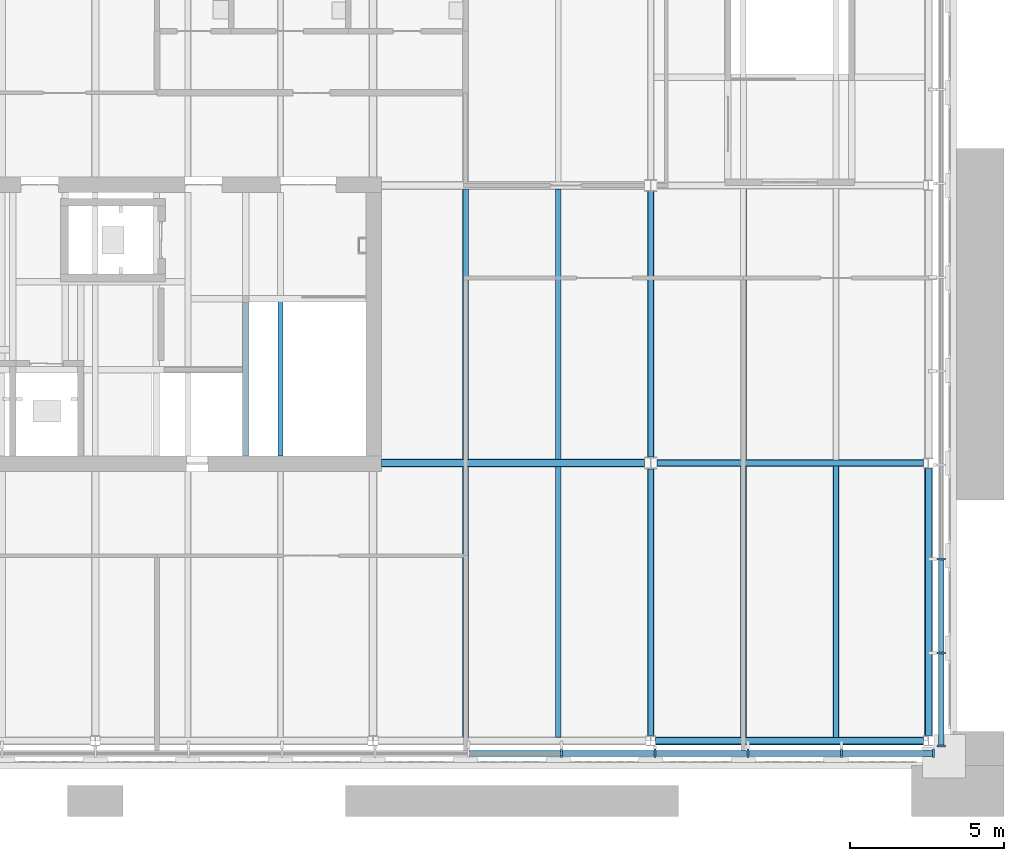
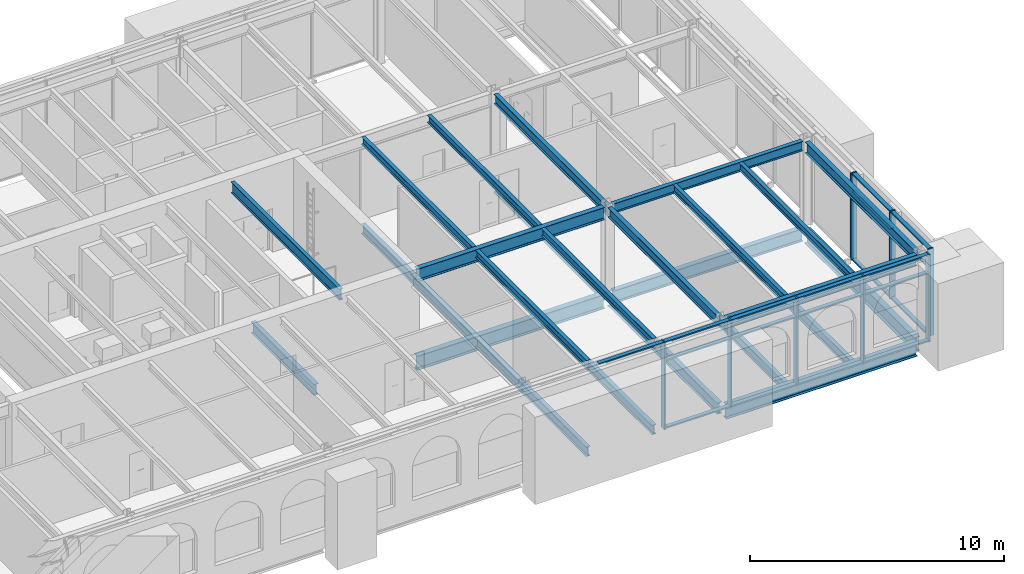
# One storey, part 7 of 24: 27 beams, 27 members, 2 elements without a shape of their own.
"""IFC4 building model written with IfcOpenShell, lengths in metres."""

from ifc_helpers import new_model, si_unit, direction, frame, origin, origin_2d, place, context, subcontext, project, spatial, rectangle, i_section, extrude, material, material_profile, profile_set, type_object, element, aggregate, save


model = new_model("IFC4")

# Units and contexts
model_context = context("Model", 3, precision=1e-05, world=origin(), true_north=direction((0.0, 1.0)))
body_context = subcontext(model_context, "Body", "Model", "MODEL_VIEW")
ifc_project = project(units=[si_unit("LENGTHUNIT", "METRE"), si_unit("AREAUNIT", "SQUARE_METRE"), si_unit("VOLUMEUNIT", "CUBIC_METRE"), si_unit("PLANEANGLEUNIT", "RADIAN"), si_unit("MASSUNIT", "GRAM", prefix="KILO")], contexts=[model_context])

# Site, building, storey
site_placement = place(None, origin())
site = spatial("IfcSite", under=ifc_project, at=site_placement, CompositionType="ELEMENT")
building_placement = place(site_placement, origin())
building = spatial("IfcBuilding", under=site, at=building_placement, Name="Baradari Gate Terminus", CompositionType="ELEMENT")
storey_placement = place(building_placement, frame((0.0, 0.0, 32.699951171875)))
storey = spatial("IfcBuildingStorey", under=building, at=storey_placement, Name="L07", CompositionType="ELEMENT", Elevation=32.699951171875)

# Beam
ifc_material_1 = material(Name="Steel S355", Category="steel")
ifc_material_profile_1 = material_profile(ifc_material_1, i_section(OverallWidth=0.209228515625, OverallDepth=0.533203125, WebThickness=0.010009765625, FlangeThickness=0.015625, FilletRadius=0.0126953125, at=origin_2d()), Name="UB 533x210x92")
ifc_profile_set_1 = profile_set([ifc_material_profile_1], Name="Steel S355")
beam_type_1 = type_object("IfcBeamType", Name="Core floor trimmer beam B22 UB 533x210x92", PredefinedType="BEAM", material=ifc_profile_set_1)
beam_1_placement = place(storey_placement, frame((40.875, 126.22509765625, -0.396484375), z_axis=(0.0, 1.0, 0.0), x_axis=(-1.0, 0.0, 0.0)))
element("IfcBeam", 1, at=beam_1_placement, inside=storey, type_object=beam_type_1, Name="Core floor trimmer beam B22 40.875:126.225-131.22 L07", PredefinedType="BEAM", context=body_context, shape_type="SweptSolid", body=[
    extrude(i_section(OverallWidth=0.209228515625, OverallDepth=0.533203125, WebThickness=0.010009765625, FlangeThickness=0.015625, FilletRadius=0.0126953125, at=origin_2d()), origin(), (0.0, 0.0, 1.0), 4.9951171875),
])

# Curtain wall, members
ifc_material_2 = material(Name="Aluminium 6063-T6", Category="aluminium")
curtain_wall_type = type_object("IfcCurtainWallType", Name="Curtain wall CW-12 block arcade floors, L06-L07", PredefinedType="NOTDEFINED", material=ifc_material_2)
curtain_wall_1_placement = place(storey_placement, origin())
curtain_wall_1 = element("IfcCurtainWall", 2, at=curtain_wall_1_placement, inside=storey, type_object=curtain_wall_type, Name="Curtain wall CW-12 Operations block S face L07", PredefinedType="NOTDEFINED")
ifc_material_3 = material(Name="Aluminium 6063-T6", Category="aluminium")
ifc_material_profile_2 = material_profile(ifc_material_3, rectangle(XDim=0.27490234375, YDim=0.06494140625, at=origin_2d()), Name="CM-12 65X275")
ifc_profile_set_2 = profile_set([ifc_material_profile_2], Name="Aluminium 6063-T6")
member_type_1 = type_object("IfcMemberType", Name="Curtain wall mullion CM-12 65x275", PredefinedType="MULLION", material=ifc_profile_set_2)
member_1_placement = place(storey_placement, frame((51.111083984375, 116.592529296875, 0.0), z_axis=(0.0, 0.0, 1.0), x_axis=(0.0, 1.0, 0.0)))
member_1 = element("IfcMember", 3, at=member_1_placement, type_object=member_type_1, Name="CW-12 mullion 15", PredefinedType="MULLION", context=body_context, shape_type="SweptSolid", body=[
    extrude(rectangle(XDim=0.27490234375, YDim=0.06494140625, at=origin_2d()), origin(), (0.0, 0.0, 1.0), 4.199951171875),
])
member_2_placement = place(storey_placement, frame((54.13330078125, 116.592529296875, 0.0), z_axis=(0.0, 0.0, 1.0), x_axis=(0.0, 1.0, 0.0)))
member_2 = element("IfcMember", 4, at=member_2_placement, type_object=member_type_1, Name="CW-12 mullion 16", PredefinedType="MULLION", context=body_context, shape_type="SweptSolid", body=[
    extrude(rectangle(XDim=0.27490234375, YDim=0.06494140625, at=origin_2d()), origin(), (0.0, 0.0, 1.0), 4.199951171875),
])
member_3_placement = place(storey_placement, frame((57.155517578125, 116.592529296875, 0.0), z_axis=(0.0, 0.0, 1.0), x_axis=(0.0, 1.0, 0.0)))
member_3 = element("IfcMember", 5, at=member_3_placement, type_object=member_type_1, Name="CW-12 mullion 17", PredefinedType="MULLION", context=body_context, shape_type="SweptSolid", body=[
    extrude(rectangle(XDim=0.27490234375, YDim=0.06494140625, at=origin_2d()), origin(), (0.0, 0.0, 1.0), 4.199951171875),
])
member_4_placement = place(storey_placement, frame((60.177734375, 116.592529296875, 0.0), z_axis=(0.0, 0.0, 1.0), x_axis=(0.0, 1.0, 0.0)))
member_4 = element("IfcMember", 6, at=member_4_placement, type_object=member_type_1, Name="CW-12 mullion 18", PredefinedType="MULLION", context=body_context, shape_type="SweptSolid", body=[
    extrude(rectangle(XDim=0.27490234375, YDim=0.06494140625, at=origin_2d()), origin(), (0.0, 0.0, 1.0), 4.199951171875),
])
member_5_placement = place(storey_placement, frame((63.16748046875, 116.592529296875, 0.0), z_axis=(0.0, 0.0, 1.0), x_axis=(0.0, 1.0, 0.0)))
member_5 = element("IfcMember", 7, at=member_5_placement, type_object=member_type_1, Name="CW-12 mullion 19", PredefinedType="MULLION", context=body_context, shape_type="SweptSolid", body=[
    extrude(rectangle(XDim=0.27490234375, YDim=0.06494140625, at=origin_2d()), origin(), (0.0, 0.0, 1.0), 4.199951171875),
])

curtain_wall_2_placement = place(storey_placement, origin())
curtain_wall_2 = element("IfcCurtainWall", 8, at=curtain_wall_2_placement, inside=storey, type_object=curtain_wall_type, Name="Curtain wall CW-12 Operations block E face L07", PredefinedType="NOTDEFINED")
member_6_placement = place(storey_placement, frame((63.407470703125, 116.83251953125, 0.0), z_axis=(0.0, 0.0, 1.0), x_axis=(-1.0, 0.0, 0.0)))
member_6 = element("IfcMember", 9, at=member_6_placement, type_object=member_type_1, Name="CW-12 mullion 1", PredefinedType="MULLION", context=body_context, shape_type="SweptSolid", body=[
    extrude(rectangle(XDim=0.27490234375, YDim=0.06494140625, at=origin_2d()), origin(), (0.0, 0.0, 1.0), 4.199951171875),
])
member_7_placement = place(storey_placement, frame((63.407470703125, 119.844482421875, 0.0), z_axis=(0.0, 0.0, 1.0), x_axis=(-1.0, 0.0, 0.0)))
member_7 = element("IfcMember", 10, at=member_7_placement, type_object=member_type_1, Name="CW-12 mullion 2", PredefinedType="MULLION", context=body_context, shape_type="SweptSolid", body=[
    extrude(rectangle(XDim=0.27490234375, YDim=0.06494140625, at=origin_2d()), origin(), (0.0, 0.0, 1.0), 4.199951171875),
])
member_8_placement = place(storey_placement, frame((63.407470703125, 122.888916015625, 0.0), z_axis=(0.0, 0.0, 1.0), x_axis=(-1.0, 0.0, 0.0)))
member_8 = element("IfcMember", 11, at=member_8_placement, type_object=member_type_1, Name="CW-12 mullion 3", PredefinedType="MULLION", context=body_context, shape_type="SweptSolid", body=[
    extrude(rectangle(XDim=0.27490234375, YDim=0.06494140625, at=origin_2d()), origin(), (0.0, 0.0, 1.0), 4.199951171875),
])

# Member
ifc_material_4 = material(Name="Aluminium 6063-T6", Category="aluminium")
ifc_material_profile_3 = material_profile(ifc_material_4, rectangle(XDim=0.18505859375, YDim=0.06494140625, at=origin_2d()), Name="CT-12 65X185")
ifc_profile_set_3 = profile_set([ifc_material_profile_3], Name="Aluminium 6063-T6")
member_type_2 = type_object("IfcMemberType", Name="Curtain wall transom CT-12 65x185", PredefinedType="USERDEFINED", material=ifc_profile_set_3)
member_9_placement = place(storey_placement, frame((48.121337890625, 116.592529296875, 4.16748046875), z_axis=(1.0, 0.0, 0.0), x_axis=(0.0, 1.0, 0.0)))
member_9 = element("IfcMember", 12, at=member_9_placement, type_object=member_type_2, Name="CW-12 transom 14.3", ObjectType="TRANSOM", PredefinedType="USERDEFINED", context=body_context, shape_type="SweptSolid", body=[
    extrude(rectangle(XDim=0.18505859375, YDim=0.06494140625, at=origin_2d()), origin(), (0.0, 0.0, 1.0), 2.957275390625),
])

member_10_placement = place(storey_placement, frame((51.1435546875, 116.592529296875, 0.032470703125), z_axis=(1.0, 0.0, 0.0), x_axis=(0.0, 1.0, 0.0)))
member_10 = element("IfcMember", 13, at=member_10_placement, type_object=member_type_2, Name="CW-12 transom 15.1", ObjectType="TRANSOM", PredefinedType="USERDEFINED", context=body_context, shape_type="SweptSolid", body=[
    extrude(rectangle(XDim=0.18505859375, YDim=0.06494140625, at=origin_2d()), origin(), (0.0, 0.0, 1.0), 2.957275390625),
])

member_11_placement = place(storey_placement, frame((51.1435546875, 116.592529296875, 3.300048828125), z_axis=(1.0, 0.0, 0.0), x_axis=(0.0, 1.0, 0.0)))
member_11 = element("IfcMember", 14, at=member_11_placement, type_object=member_type_2, Name="CW-12 transom 15.2", ObjectType="TRANSOM", PredefinedType="USERDEFINED", context=body_context, shape_type="SweptSolid", body=[
    extrude(rectangle(XDim=0.18505859375, YDim=0.06494140625, at=origin_2d()), origin(), (0.0, 0.0, 1.0), 2.957275390625),
])

member_12_placement = place(storey_placement, frame((51.1435546875, 116.592529296875, 4.16748046875), z_axis=(1.0, 0.0, 0.0), x_axis=(0.0, 1.0, 0.0)))
member_12 = element("IfcMember", 15, at=member_12_placement, type_object=member_type_2, Name="CW-12 transom 15.3", ObjectType="TRANSOM", PredefinedType="USERDEFINED", context=body_context, shape_type="SweptSolid", body=[
    extrude(rectangle(XDim=0.18505859375, YDim=0.06494140625, at=origin_2d()), origin(), (0.0, 0.0, 1.0), 2.957275390625),
])

member_13_placement = place(storey_placement, frame((54.165771484375, 116.592529296875, 0.032470703125), z_axis=(1.0, 0.0, 0.0), x_axis=(0.0, 1.0, 0.0)))
member_13 = element("IfcMember", 16, at=member_13_placement, type_object=member_type_2, Name="CW-12 transom 16.1", ObjectType="TRANSOM", PredefinedType="USERDEFINED", context=body_context, shape_type="SweptSolid", body=[
    extrude(rectangle(XDim=0.18505859375, YDim=0.06494140625, at=origin_2d()), origin(), (0.0, 0.0, 1.0), 2.957275390625),
])

member_14_placement = place(storey_placement, frame((54.165771484375, 116.592529296875, 3.300048828125), z_axis=(1.0, 0.0, 0.0), x_axis=(0.0, 1.0, 0.0)))
member_14 = element("IfcMember", 17, at=member_14_placement, type_object=member_type_2, Name="CW-12 transom 16.2", ObjectType="TRANSOM", PredefinedType="USERDEFINED", context=body_context, shape_type="SweptSolid", body=[
    extrude(rectangle(XDim=0.18505859375, YDim=0.06494140625, at=origin_2d()), origin(), (0.0, 0.0, 1.0), 2.957275390625),
])

member_15_placement = place(storey_placement, frame((54.165771484375, 116.592529296875, 4.16748046875), z_axis=(1.0, 0.0, 0.0), x_axis=(0.0, 1.0, 0.0)))
member_15 = element("IfcMember", 18, at=member_15_placement, type_object=member_type_2, Name="CW-12 transom 16.3", ObjectType="TRANSOM", PredefinedType="USERDEFINED", context=body_context, shape_type="SweptSolid", body=[
    extrude(rectangle(XDim=0.18505859375, YDim=0.06494140625, at=origin_2d()), origin(), (0.0, 0.0, 1.0), 2.957275390625),
])

member_16_placement = place(storey_placement, frame((57.18798828125, 116.592529296875, 0.032470703125), z_axis=(1.0, 0.0, 0.0), x_axis=(0.0, 1.0, 0.0)))
member_16 = element("IfcMember", 19, at=member_16_placement, type_object=member_type_2, Name="CW-12 transom 17.1", ObjectType="TRANSOM", PredefinedType="USERDEFINED", context=body_context, shape_type="SweptSolid", body=[
    extrude(rectangle(XDim=0.18505859375, YDim=0.06494140625, at=origin_2d()), origin(), (0.0, 0.0, 1.0), 2.957275390625),
])

member_17_placement = place(storey_placement, frame((57.18798828125, 116.592529296875, 3.300048828125), z_axis=(1.0, 0.0, 0.0), x_axis=(0.0, 1.0, 0.0)))
member_17 = element("IfcMember", 20, at=member_17_placement, type_object=member_type_2, Name="CW-12 transom 17.2", ObjectType="TRANSOM", PredefinedType="USERDEFINED", context=body_context, shape_type="SweptSolid", body=[
    extrude(rectangle(XDim=0.18505859375, YDim=0.06494140625, at=origin_2d()), origin(), (0.0, 0.0, 1.0), 2.957275390625),
])

member_18_placement = place(storey_placement, frame((57.18798828125, 116.592529296875, 4.16748046875), z_axis=(1.0, 0.0, 0.0), x_axis=(0.0, 1.0, 0.0)))
member_18 = element("IfcMember", 21, at=member_18_placement, type_object=member_type_2, Name="CW-12 transom 17.3", ObjectType="TRANSOM", PredefinedType="USERDEFINED", context=body_context, shape_type="SweptSolid", body=[
    extrude(rectangle(XDim=0.18505859375, YDim=0.06494140625, at=origin_2d()), origin(), (0.0, 0.0, 1.0), 2.957275390625),
])

member_19_placement = place(storey_placement, frame((60.210205078125, 116.592529296875, 0.032470703125), z_axis=(1.0, 0.0, 0.0), x_axis=(0.0, 1.0, 0.0)))
member_19 = element("IfcMember", 22, at=member_19_placement, type_object=member_type_2, Name="CW-12 transom 18.1", ObjectType="TRANSOM", PredefinedType="USERDEFINED", context=body_context, shape_type="SweptSolid", body=[
    extrude(rectangle(XDim=0.18505859375, YDim=0.06494140625, at=origin_2d()), origin(), (0.0, 0.0, 1.0), 2.9248046875),
])

member_20_placement = place(storey_placement, frame((60.210205078125, 116.592529296875, 3.300048828125), z_axis=(1.0, 0.0, 0.0), x_axis=(0.0, 1.0, 0.0)))
member_20 = element("IfcMember", 23, at=member_20_placement, type_object=member_type_2, Name="CW-12 transom 18.2", ObjectType="TRANSOM", PredefinedType="USERDEFINED", context=body_context, shape_type="SweptSolid", body=[
    extrude(rectangle(XDim=0.18505859375, YDim=0.06494140625, at=origin_2d()), origin(), (0.0, 0.0, 1.0), 2.9248046875),
])

member_21_placement = place(storey_placement, frame((60.210205078125, 116.592529296875, 4.16748046875), z_axis=(1.0, 0.0, 0.0), x_axis=(0.0, 1.0, 0.0)))
member_21 = element("IfcMember", 24, at=member_21_placement, type_object=member_type_2, Name="CW-12 transom 18.3", ObjectType="TRANSOM", PredefinedType="USERDEFINED", context=body_context, shape_type="SweptSolid", body=[
    extrude(rectangle(XDim=0.18505859375, YDim=0.06494140625, at=origin_2d()), origin(), (0.0, 0.0, 1.0), 2.9248046875),
])

aggregate(curtain_wall_1, [member_1, member_2, member_3, member_4, member_5, member_9, member_10, member_11, member_12, member_13, member_14, member_15, member_16, member_17, member_18, member_19, member_20, member_21])

member_22_placement = place(storey_placement, frame((63.407470703125, 116.864990234375, 0.032470703125), z_axis=(0.0, 1.0, 0.0), x_axis=(-1.0, 0.0, 0.0)))
member_22 = element("IfcMember", 25, at=member_22_placement, type_object=member_type_2, Name="CW-12 transom 1.1", ObjectType="TRANSOM", PredefinedType="USERDEFINED", context=body_context, shape_type="SweptSolid", body=[
    extrude(rectangle(XDim=0.18505859375, YDim=0.06494140625, at=origin_2d()), origin(), (0.0, 0.0, 1.0), 2.947021484375),
])

member_23_placement = place(storey_placement, frame((63.407470703125, 116.864990234375, 3.300048828125), z_axis=(0.0, 1.0, 0.0), x_axis=(-1.0, 0.0, 0.0)))
member_23 = element("IfcMember", 26, at=member_23_placement, type_object=member_type_2, Name="CW-12 transom 1.2", ObjectType="TRANSOM", PredefinedType="USERDEFINED", context=body_context, shape_type="SweptSolid", body=[
    extrude(rectangle(XDim=0.18505859375, YDim=0.06494140625, at=origin_2d()), origin(), (0.0, 0.0, 1.0), 2.947021484375),
])

member_24_placement = place(storey_placement, frame((63.407470703125, 116.864990234375, 4.16748046875), z_axis=(0.0, 1.0, 0.0), x_axis=(-1.0, 0.0, 0.0)))
member_24 = element("IfcMember", 27, at=member_24_placement, type_object=member_type_2, Name="CW-12 transom 1.3", ObjectType="TRANSOM", PredefinedType="USERDEFINED", context=body_context, shape_type="SweptSolid", body=[
    extrude(rectangle(XDim=0.18505859375, YDim=0.06494140625, at=origin_2d()), origin(), (0.0, 0.0, 1.0), 2.947021484375),
])

member_25_placement = place(storey_placement, frame((63.407470703125, 119.876953125, 0.032470703125), z_axis=(0.0, 1.0, 0.0), x_axis=(-1.0, 0.0, 0.0)))
member_25 = element("IfcMember", 28, at=member_25_placement, type_object=member_type_2, Name="CW-12 transom 2.1", ObjectType="TRANSOM", PredefinedType="USERDEFINED", context=body_context, shape_type="SweptSolid", body=[
    extrude(rectangle(XDim=0.18505859375, YDim=0.06494140625, at=origin_2d()), origin(), (0.0, 0.0, 1.0), 2.9794921875),
])

member_26_placement = place(storey_placement, frame((63.407470703125, 119.876953125, 3.300048828125), z_axis=(0.0, 1.0, 0.0), x_axis=(-1.0, 0.0, 0.0)))
member_26 = element("IfcMember", 29, at=member_26_placement, type_object=member_type_2, Name="CW-12 transom 2.2", ObjectType="TRANSOM", PredefinedType="USERDEFINED", context=body_context, shape_type="SweptSolid", body=[
    extrude(rectangle(XDim=0.18505859375, YDim=0.06494140625, at=origin_2d()), origin(), (0.0, 0.0, 1.0), 2.9794921875),
])

member_27_placement = place(storey_placement, frame((63.407470703125, 119.876953125, 4.16748046875), z_axis=(0.0, 1.0, 0.0), x_axis=(-1.0, 0.0, 0.0)))
member_27 = element("IfcMember", 30, at=member_27_placement, type_object=member_type_2, Name="CW-12 transom 2.3", ObjectType="TRANSOM", PredefinedType="USERDEFINED", context=body_context, shape_type="SweptSolid", body=[
    extrude(rectangle(XDim=0.18505859375, YDim=0.06494140625, at=origin_2d()), origin(), (0.0, 0.0, 1.0), 2.9794921875),
])

aggregate(curtain_wall_2, [member_6, member_7, member_8, member_22, member_23, member_24, member_25, member_26, member_27])

# Beams
ifc_material_5 = material(Name="Steel S355", Category="steel")
ifc_material_profile_4 = material_profile(ifc_material_5, i_section(OverallWidth=0.1650390625, OverallDepth=0.524658203125, WebThickness=0.0087890625, FlangeThickness=0.011962890625, FilletRadius=0.0126953125, at=origin_2d()), Name="UB 533x165x66")
ifc_profile_set_4 = profile_set([ifc_material_profile_4], Name="Steel S355")
beam_type_2 = type_object("IfcBeamType", Name="Lift machine room beam B47 UB 533x165x66", PredefinedType="BEAM", material=ifc_profile_set_4)
beam_2_placement = place(storey_placement, frame((42.0, 126.22509765625, 3.787841796875), z_axis=(0.0, 1.0, 0.0), x_axis=(-1.0, 0.0, 0.0)))
element("IfcBeam", 31, at=beam_2_placement, inside=storey, type_object=beam_type_2, Name="Lift machine room beam B47 42:126.225-134.775 L07", PredefinedType="BEAM", context=body_context, shape_type="SweptSolid", body=[
    extrude(i_section(OverallWidth=0.1650390625, OverallDepth=0.524658203125, WebThickness=0.0087890625, FlangeThickness=0.011962890625, FilletRadius=0.0126953125, at=origin_2d()), origin(), (0.0, 0.0, 1.0), 8.5498046875),
])
ifc_material_6 = material(Name="Steel S355", Category="steel")
ifc_material_profile_5 = material_profile(ifc_material_6, i_section(OverallWidth=0.25439453125, OverallDepth=0.6875, WebThickness=0.01318359375, FlangeThickness=0.02099609375, FilletRadius=0.01513671875, at=origin_2d()), Name="UB 686x254x152")
ifc_profile_set_5 = profile_set([ifc_material_profile_5], Name="Steel S355")
beam_type_3 = type_object("IfcBeamType", Name="Operations block coupling beam B26 UB 686x254x152", PredefinedType="BEAM", material=ifc_profile_set_5)
beam_3_placement = place(storey_placement, frame((45.27490234375, 126.0, -0.4736328125), z_axis=(1.0, 0.0, 0.0), x_axis=(0.0, 1.0, 0.0)))
element("IfcBeam", 32, at=beam_3_placement, inside=storey, type_object=beam_type_3, Name="Operations block coupling beam B26 Q:45.275-53.803 L07", PredefinedType="BEAM", context=body_context, shape_type="SweptSolid", body=[
    extrude(i_section(OverallWidth=0.25439453125, OverallDepth=0.6875, WebThickness=0.01318359375, FlangeThickness=0.02099609375, FilletRadius=0.01513671875, at=origin_2d()), origin(), (0.0, 0.0, 1.0), 8.527587890625),
])
ifc_material_7 = material(Name="Steel S355", Category="steel")
ifc_material_profile_6 = material_profile(ifc_material_7, i_section(OverallWidth=0.22900390625, OverallDepth=0.6123046875, WebThickness=0.011962890625, FlangeThickness=0.01953125, FilletRadius=0.0126953125, at=origin_2d()), Name="UB 610x229x125")
ifc_profile_set_6 = profile_set([ifc_material_profile_6], Name="Steel S355")
beam_type_4 = type_object("IfcBeamType", Name="Operations block girder B25 UB 610x229x125", PredefinedType="BEAM", material=ifc_profile_set_6)
beam_4_placement = place(storey_placement, frame((54.197509765625, 126.0, -0.43603515625), z_axis=(1.0, 0.0, 0.0), x_axis=(0.0, 1.0, 0.0)))
element("IfcBeam", 33, at=beam_4_placement, inside=storey, type_object=beam_type_4, Name="Operations block girder B25 Q:54.197-62.843 L07", PredefinedType="BEAM", context=body_context, shape_type="SweptSolid", body=[
    extrude(i_section(OverallWidth=0.22900390625, OverallDepth=0.6123046875, WebThickness=0.011962890625, FlangeThickness=0.01953125, FilletRadius=0.0126953125, at=origin_2d()), origin(), (0.0, 0.0, 1.0), 8.645263671875),
])
ifc_material_8 = material(Name="Steel S355", Category="steel")
ifc_material_profile_7 = material_profile(ifc_material_8, i_section(OverallWidth=0.210693359375, OverallDepth=0.53955078125, WebThickness=0.01171875, FlangeThickness=0.018798828125, FilletRadius=0.0126953125, at=origin_2d()), Name="UB 533x210x109")
ifc_profile_set_7 = profile_set([ifc_material_profile_7], Name="Steel S355")
beam_type_5 = type_object("IfcBeamType", Name="Operations block girder B29 UB 533x210x109", PredefinedType="BEAM", material=ifc_profile_set_7)
beam_5_placement = place(storey_placement, frame((54.0, 117.169921875, -0.399658203125), z_axis=(0.0, 1.0, 0.0), x_axis=(-1.0, 0.0, 0.0)))
element("IfcBeam", 34, at=beam_5_placement, inside=storey, type_object=beam_type_5, Name="Operations block girder B29 7:117.17-125.809 L07", PredefinedType="BEAM", context=body_context, shape_type="SweptSolid", body=[
    extrude(i_section(OverallWidth=0.210693359375, OverallDepth=0.53955078125, WebThickness=0.01171875, FlangeThickness=0.018798828125, FilletRadius=0.0126953125, at=origin_2d()), origin(), (0.0, 0.0, 1.0), 8.6396484375),
])
beam_6_placement = place(storey_placement, frame((54.0, 126.1904296875, -0.399658203125), z_axis=(0.0, 1.0, 0.0), x_axis=(-1.0, 0.0, 0.0)))
element("IfcBeam", 35, at=beam_6_placement, inside=storey, type_object=beam_type_5, Name="Operations block girder B29 7:126.191-134.81 L07", PredefinedType="BEAM", context=body_context, shape_type="SweptSolid", body=[
    extrude(i_section(OverallWidth=0.210693359375, OverallDepth=0.53955078125, WebThickness=0.01171875, FlangeThickness=0.018798828125, FilletRadius=0.0126953125, at=origin_2d()), origin(), (0.0, 0.0, 1.0), 8.619140625),
])
ifc_material_9 = material(Name="Steel S355", Category="steel")
ifc_material_profile_8 = material_profile(ifc_material_9, i_section(OverallWidth=0.25439453125, OverallDepth=0.6875, WebThickness=0.01318359375, FlangeThickness=0.02099609375, FilletRadius=0.01513671875, at=origin_2d()), Name="UB 686x254x152")
ifc_profile_set_8 = profile_set([ifc_material_profile_8], Name="Steel S355")
beam_type_6 = type_object("IfcBeamType", Name="Operations block moment frame beam B32 UB 686x254x152", PredefinedType="BEAM", material=ifc_profile_set_8)
beam_7_placement = place(storey_placement, frame((54.1572265625, 117.0, -0.4736328125), z_axis=(1.0, 0.0, 0.0), x_axis=(0.0, 1.0, 0.0)))
element("IfcBeam", 36, at=beam_7_placement, inside=storey, type_object=beam_type_6, Name="Operations block moment frame beam B32 P:54.157-62.843 L07", PredefinedType="BEAM", context=body_context, shape_type="SweptSolid", body=[
    extrude(i_section(OverallWidth=0.25439453125, OverallDepth=0.6875, WebThickness=0.01318359375, FlangeThickness=0.02099609375, FilletRadius=0.01513671875, at=origin_2d()), origin(), (0.0, 0.0, 1.0), 8.685546875),
])
beam_8_placement = place(storey_placement, frame((63.0, 117.169921875, -0.4736328125), z_axis=(0.0, 1.0, 0.0), x_axis=(-1.0, 0.0, 0.0)))
element("IfcBeam", 37, at=beam_8_placement, inside=storey, type_object=beam_type_6, Name="Operations block moment frame beam B32 8:117.17-125.83 L07", PredefinedType="BEAM", context=body_context, shape_type="SweptSolid", body=[
    extrude(i_section(OverallWidth=0.25439453125, OverallDepth=0.6875, WebThickness=0.01318359375, FlangeThickness=0.02099609375, FilletRadius=0.01513671875, at=origin_2d()), origin(), (0.0, 0.0, 1.0), 8.66015625),
])
ifc_material_10 = material(Name="Steel S355", Category="steel")
ifc_material_profile_9 = material_profile(ifc_material_10, i_section(OverallWidth=0.2275390625, OverallDepth=0.6025390625, WebThickness=0.010498046875, FlangeThickness=0.014892578125, FilletRadius=0.0126953125, at=origin_2d()), Name="UB 610x229x101")
ifc_profile_set_9 = profile_set([ifc_material_profile_9], Name="Steel S355")
beam_type_7 = type_object("IfcBeamType", Name="Operations block roof coupling beam B45 UB 610x229x101", PredefinedType="BEAM", material=ifc_profile_set_9)
beam_9_placement = place(storey_placement, frame((45.27490234375, 126.0, 3.748779296875), z_axis=(1.0, 0.0, 0.0), x_axis=(0.0, 1.0, 0.0)))
element("IfcBeam", 38, at=beam_9_placement, inside=storey, type_object=beam_type_7, Name="Operations block roof coupling beam B45 Q:45.275-53.803 L07", PredefinedType="BEAM", context=body_context, shape_type="SweptSolid", body=[
    extrude(i_section(OverallWidth=0.2275390625, OverallDepth=0.6025390625, WebThickness=0.010498046875, FlangeThickness=0.014892578125, FilletRadius=0.0126953125, at=origin_2d()), origin(), (0.0, 0.0, 1.0), 8.527587890625),
])
ifc_material_11 = material(Name="Steel S355", Category="steel")
ifc_material_profile_10 = material_profile(ifc_material_11, i_section(OverallWidth=0.209228515625, OverallDepth=0.533203125, WebThickness=0.010009765625, FlangeThickness=0.015625, FilletRadius=0.0126953125, at=origin_2d()), Name="UB 533x210x92")
ifc_profile_set_10 = profile_set([ifc_material_profile_10], Name="Steel S355")
beam_type_8 = type_object("IfcBeamType", Name="Operations block roof edge beam B43 UB 533x210x92", PredefinedType="BEAM", material=ifc_profile_set_10)
beam_10_placement = place(storey_placement, frame((54.1572265625, 117.0, 3.783447265625), z_axis=(1.0, 0.0, 0.0), x_axis=(0.0, 1.0, 0.0)))
element("IfcBeam", 39, at=beam_10_placement, inside=storey, type_object=beam_type_8, Name="Operations block roof edge beam B43 P:54.157-62.843 L07", PredefinedType="BEAM", context=body_context, shape_type="SweptSolid", body=[
    extrude(i_section(OverallWidth=0.209228515625, OverallDepth=0.533203125, WebThickness=0.010009765625, FlangeThickness=0.015625, FilletRadius=0.0126953125, at=origin_2d()), origin(), (0.0, 0.0, 1.0), 8.685546875),
])
beam_11_placement = place(storey_placement, frame((63.0, 117.169921875, 3.783447265625), z_axis=(0.0, 1.0, 0.0), x_axis=(-1.0, 0.0, 0.0)))
element("IfcBeam", 40, at=beam_11_placement, inside=storey, type_object=beam_type_8, Name="Operations block roof edge beam B43 8:117.17-125.83 L07", PredefinedType="BEAM", context=body_context, shape_type="SweptSolid", body=[
    extrude(i_section(OverallWidth=0.209228515625, OverallDepth=0.533203125, WebThickness=0.010009765625, FlangeThickness=0.015625, FilletRadius=0.0126953125, at=origin_2d()), origin(), (0.0, 0.0, 1.0), 8.66015625),
])
ifc_material_12 = material(Name="Steel S355", Category="steel")
ifc_material_profile_11 = material_profile(ifc_material_12, i_section(OverallWidth=0.19140625, OverallDepth=0.4599609375, WebThickness=0.010009765625, FlangeThickness=0.01611328125, FilletRadius=0.01025390625, at=origin_2d()), Name="UB 457x191x82")
ifc_profile_set_11 = profile_set([ifc_material_profile_11], Name="Steel S355")
beam_type_9 = type_object("IfcBeamType", Name="Operations block roof girder B44 UB 457x191x82", PredefinedType="BEAM", material=ifc_profile_set_11)
beam_12_placement = place(storey_placement, frame((54.197509765625, 126.0, 3.820068359375), z_axis=(1.0, 0.0, 0.0), x_axis=(0.0, 1.0, 0.0)))
element("IfcBeam", 41, at=beam_12_placement, inside=storey, type_object=beam_type_9, Name="Operations block roof girder B44 Q:54.197-62.843 L07", PredefinedType="BEAM", context=body_context, shape_type="SweptSolid", body=[
    extrude(i_section(OverallWidth=0.19140625, OverallDepth=0.4599609375, WebThickness=0.010009765625, FlangeThickness=0.01611328125, FilletRadius=0.01025390625, at=origin_2d()), origin(), (0.0, 0.0, 1.0), 8.645263671875),
])
beam_13_placement = place(storey_placement, frame((54.0, 117.169921875, 3.820068359375), z_axis=(0.0, 1.0, 0.0), x_axis=(-1.0, 0.0, 0.0)))
element("IfcBeam", 42, at=beam_13_placement, inside=storey, type_object=beam_type_9, Name="Operations block roof girder B44 7:117.17-125.809 L07", PredefinedType="BEAM", context=body_context, shape_type="SweptSolid", body=[
    extrude(i_section(OverallWidth=0.19140625, OverallDepth=0.4599609375, WebThickness=0.010009765625, FlangeThickness=0.01611328125, FilletRadius=0.01025390625, at=origin_2d()), origin(), (0.0, 0.0, 1.0), 8.6396484375),
])
beam_14_placement = place(storey_placement, frame((54.0, 126.1904296875, 3.820068359375), z_axis=(0.0, 1.0, 0.0), x_axis=(-1.0, 0.0, 0.0)))
element("IfcBeam", 43, at=beam_14_placement, inside=storey, type_object=beam_type_9, Name="Operations block roof girder B44 7:126.191-134.81 L07", PredefinedType="BEAM", context=body_context, shape_type="SweptSolid", body=[
    extrude(i_section(OverallWidth=0.19140625, OverallDepth=0.4599609375, WebThickness=0.010009765625, FlangeThickness=0.01611328125, FilletRadius=0.01025390625, at=origin_2d()), origin(), (0.0, 0.0, 1.0), 8.619140625),
])
ifc_material_13 = material(Name="Steel S355", Category="steel")
ifc_material_profile_12 = material_profile(ifc_material_13, i_section(OverallWidth=0.17138671875, OverallDepth=0.35498046875, WebThickness=0.00732421875, FlangeThickness=0.011474609375, FilletRadius=0.01025390625, at=origin_2d()), Name="UB 356x171x51")
ifc_profile_set_12 = profile_set([ifc_material_profile_12], Name="Steel S355")
beam_type_10 = type_object("IfcBeamType", Name="Operations block roof secondary beam B46 UB 356x171x51", PredefinedType="BEAM", material=ifc_profile_set_12)
beam_15_placement = place(storey_placement, frame((48.0, 117.104736328125, 3.87255859375), z_axis=(0.0, 1.0, 0.0), x_axis=(-1.0, 0.0, 0.0)))
element("IfcBeam", 44, at=beam_15_placement, inside=storey, type_object=beam_type_10, Name="Operations block roof secondary beam B46 48:117.105-125.886 L07", PredefinedType="BEAM", context=body_context, shape_type="SweptSolid", body=[
    extrude(i_section(OverallWidth=0.17138671875, OverallDepth=0.35498046875, WebThickness=0.00732421875, FlangeThickness=0.011474609375, FilletRadius=0.01025390625, at=origin_2d()), origin(), (0.0, 0.0, 1.0), 8.781494140625),
])
beam_16_placement = place(storey_placement, frame((48.0, 126.11376953125, 3.87255859375), z_axis=(0.0, 1.0, 0.0), x_axis=(-1.0, 0.0, 0.0)))
element("IfcBeam", 45, at=beam_16_placement, inside=storey, type_object=beam_type_10, Name="Operations block roof secondary beam B46 48:126.114-134.886 L07", PredefinedType="BEAM", context=body_context, shape_type="SweptSolid", body=[
    extrude(i_section(OverallWidth=0.17138671875, OverallDepth=0.35498046875, WebThickness=0.00732421875, FlangeThickness=0.011474609375, FilletRadius=0.01025390625, at=origin_2d()), origin(), (0.0, 0.0, 1.0), 8.7724609375),
])
beam_17_placement = place(storey_placement, frame((51.0, 117.104736328125, 3.87255859375), z_axis=(0.0, 1.0, 0.0), x_axis=(-1.0, 0.0, 0.0)))
element("IfcBeam", 46, at=beam_17_placement, inside=storey, type_object=beam_type_10, Name="Operations block roof secondary beam B46 51:117.105-125.886 L07", PredefinedType="BEAM", context=body_context, shape_type="SweptSolid", body=[
    extrude(i_section(OverallWidth=0.17138671875, OverallDepth=0.35498046875, WebThickness=0.00732421875, FlangeThickness=0.011474609375, FilletRadius=0.01025390625, at=origin_2d()), origin(), (0.0, 0.0, 1.0), 8.781494140625),
])
beam_18_placement = place(storey_placement, frame((51.0, 126.11376953125, 3.87255859375), z_axis=(0.0, 1.0, 0.0), x_axis=(-1.0, 0.0, 0.0)))
element("IfcBeam", 47, at=beam_18_placement, inside=storey, type_object=beam_type_10, Name="Operations block roof secondary beam B46 51:126.114-134.886 L07", PredefinedType="BEAM", context=body_context, shape_type="SweptSolid", body=[
    extrude(i_section(OverallWidth=0.17138671875, OverallDepth=0.35498046875, WebThickness=0.00732421875, FlangeThickness=0.011474609375, FilletRadius=0.01025390625, at=origin_2d()), origin(), (0.0, 0.0, 1.0), 8.7724609375),
])
for number, where, z_axis, x_axis, name in (
    (48, (57.0, 117.104736328125, 3.87255859375), (0.0, 1.0, 0.0), (-1.0, 0.0, 0.0), "Operations block roof secondary beam B46 57:117.105-125.904 L07"),
    (49, (60.0, 117.104736328125, 3.87255859375), (0.0, 1.0, 0.0), (-1.0, 0.0, 0.0), "Operations block roof secondary beam B46 60:117.105-125.904 L07"),
):
    element("IfcBeam", number, at=place(storey_placement, frame(where, z_axis=z_axis, x_axis=x_axis)), inside=storey, type_object=beam_type_10, Name=name, PredefinedType="BEAM", context=body_context, shape_type="SweptSolid", body=[
        extrude(i_section(OverallWidth=0.17138671875, OverallDepth=0.35498046875, WebThickness=0.00732421875, FlangeThickness=0.011474609375, FilletRadius=0.01025390625, at=origin_2d()), origin(), (0.0, 0.0, 1.0), 8.799560546875),
    ])
ifc_material_14 = material(Name="Steel S355", Category="steel")
ifc_material_profile_13 = material_profile(ifc_material_14, i_section(OverallWidth=0.18994140625, OverallDepth=0.453369140625, WebThickness=0.008544921875, FlangeThickness=0.0126953125, FilletRadius=0.01025390625, at=origin_2d()), Name="UB 457x191x67")
ifc_profile_set_13 = profile_set([ifc_material_profile_13], Name="Steel S355")
beam_type_11 = type_object("IfcBeamType", Name="Operations block secondary beam B28 UB 457x191x67", PredefinedType="BEAM", material=ifc_profile_set_13)
for number, where, z_axis, x_axis, name in (
    (50, (48.0, 117.127197265625, -0.356689453125), (0.0, 1.0, 0.0), (-1.0, 0.0, 0.0), "Operations block secondary beam B28 48:117.127-125.873 L07"),
    (51, (48.0, 126.127197265625, -0.356689453125), (0.0, 1.0, 0.0), (-1.0, 0.0, 0.0), "Operations block secondary beam B28 48:126.127-134.873 L07"),
    (52, (51.0, 117.127197265625, -0.356689453125), (0.0, 1.0, 0.0), (-1.0, 0.0, 0.0), "Operations block secondary beam B28 51:117.127-125.873 L07"),
    (53, (51.0, 126.127197265625, -0.356689453125), (0.0, 1.0, 0.0), (-1.0, 0.0, 0.0), "Operations block secondary beam B28 51:126.127-134.873 L07"),
):
    element("IfcBeam", number, at=place(storey_placement, frame(where, z_axis=z_axis, x_axis=x_axis)), inside=storey, type_object=beam_type_11, Name=name, PredefinedType="BEAM", context=body_context, shape_type="SweptSolid", body=[
        extrude(i_section(OverallWidth=0.18994140625, OverallDepth=0.453369140625, WebThickness=0.008544921875, FlangeThickness=0.0126953125, FilletRadius=0.01025390625, at=origin_2d()), origin(), (0.0, 0.0, 1.0), 8.74560546875),
    ])
beam_19_placement = place(storey_placement, frame((57.0, 117.127197265625, -0.356689453125), z_axis=(0.0, 1.0, 0.0), x_axis=(-1.0, 0.0, 0.0)))
element("IfcBeam", 54, at=beam_19_placement, inside=storey, type_object=beam_type_11, Name="Operations block secondary beam B28 57:117.127-125.885 L07", PredefinedType="BEAM", context=body_context, shape_type="SweptSolid", body=[
    extrude(i_section(OverallWidth=0.18994140625, OverallDepth=0.453369140625, WebThickness=0.008544921875, FlangeThickness=0.0126953125, FilletRadius=0.01025390625, at=origin_2d()), origin(), (0.0, 0.0, 1.0), 8.75830078125),
])
beam_20_placement = place(storey_placement, frame((57.0, 126.114501953125, -0.356689453125), z_axis=(0.0, 1.0, 0.0), x_axis=(-1.0, 0.0, 0.0)))
element("IfcBeam", 55, at=beam_20_placement, inside=storey, type_object=beam_type_11, Name="Operations block secondary beam B28 57:126.115-134.886 L07", PredefinedType="BEAM", context=body_context, shape_type="SweptSolid", body=[
    extrude(i_section(OverallWidth=0.18994140625, OverallDepth=0.453369140625, WebThickness=0.008544921875, FlangeThickness=0.0126953125, FilletRadius=0.01025390625, at=origin_2d()), origin(), (0.0, 0.0, 1.0), 8.77099609375),
])
beam_21_placement = place(storey_placement, frame((60.0, 117.127197265625, -0.356689453125), z_axis=(0.0, 1.0, 0.0), x_axis=(-1.0, 0.0, 0.0)))
element("IfcBeam", 56, at=beam_21_placement, inside=storey, type_object=beam_type_11, Name="Operations block secondary beam B28 60:117.127-125.885 L07", PredefinedType="BEAM", context=body_context, shape_type="SweptSolid", body=[
    extrude(i_section(OverallWidth=0.18994140625, OverallDepth=0.453369140625, WebThickness=0.008544921875, FlangeThickness=0.0126953125, FilletRadius=0.01025390625, at=origin_2d()), origin(), (0.0, 0.0, 1.0), 8.75830078125),
])

save(model, "model.ifc")
